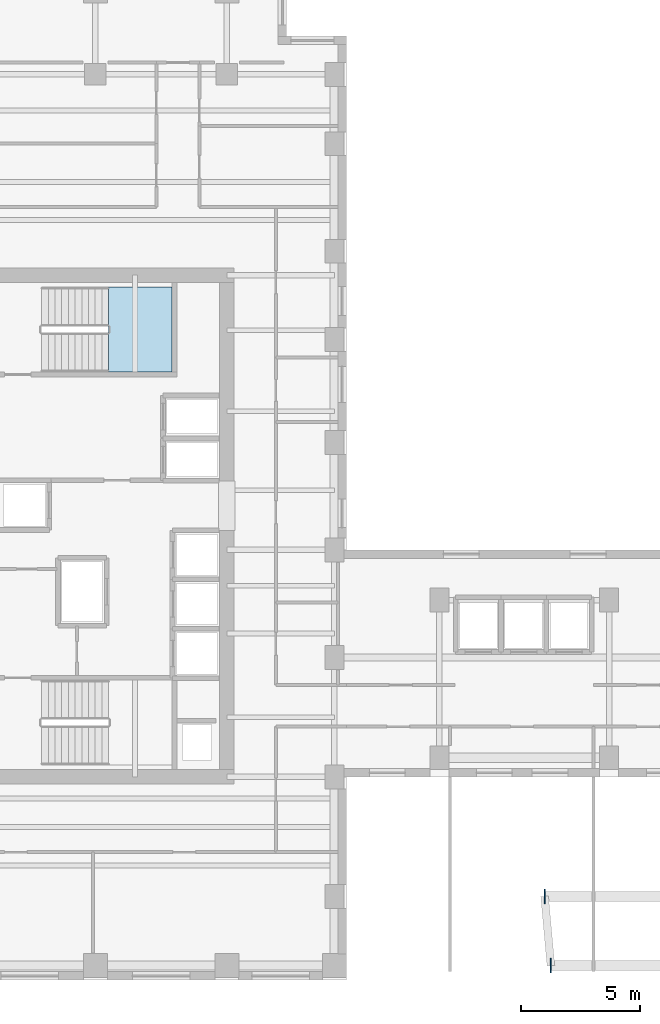
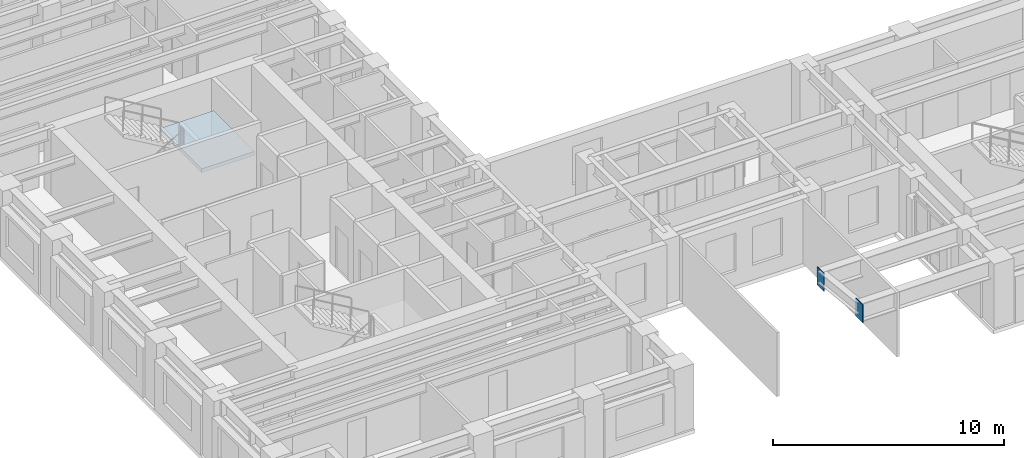
# One storey, part 4 of 13: 2 plates, 1 slab, 1 element without a shape of its own.
"""IFC4 building model written with IfcOpenShell, lengths in metres."""

from ifc_helpers import new_model, si_unit, direction, frame, origin, origin_2d, place, context, subcontext, project, spatial, polyline, rectangle, outline, extrude, source, transform, mapped, material, layer, layer_set, type_object, element, aggregate, save


model = new_model("IFC4")

# Units and contexts
model_context = context("Model", 3, precision=1e-05, world=origin(), true_north=direction((0.0, 1.0)))
body_context = subcontext(model_context, "Body", "Model", "MODEL_VIEW")
ifc_project = project(units=[si_unit("LENGTHUNIT", "METRE"), si_unit("AREAUNIT", "SQUARE_METRE"), si_unit("VOLUMEUNIT", "CUBIC_METRE"), si_unit("PLANEANGLEUNIT", "RADIAN"), si_unit("MASSUNIT", "GRAM", prefix="KILO")], contexts=[model_context])

# Site, building, storey
site_placement = place(None, origin())
site = spatial("IfcSite", under=ifc_project, at=site_placement, CompositionType="ELEMENT")
building_placement = place(site_placement, origin())
building = spatial("IfcBuilding", under=site, at=building_placement, Name="Kharzan Plaza Tower", CompositionType="ELEMENT")
storey_placement = place(building_placement, frame((0.0, 0.0, 161.10009765625)))
storey = spatial("IfcBuildingStorey", under=building, at=storey_placement, Name="L43", CompositionType="ELEMENT", Elevation=161.10009765625)

# Stair, slab
ifc_material_1 = material(Name="Concrete C40/50", Category="concrete")
stair_type = type_object("IfcStairType", Name="STR-ST-2", PredefinedType="HALF_TURN_STAIR", material=ifc_material_1)
stair_placement = place(storey_placement, origin())
stair = element("IfcStair", 1, at=stair_placement, inside=storey, type_object=stair_type, Name="L43 Protected Exit Stair ST-2", PredefinedType="HALF_TURN_STAIR")
ifc_layer_1 = layer(ifc_material_1, 0.219970703125)
ifc_layer_set_1 = layer_set([ifc_layer_1], Name="Concrete C40/50")
slab_type = type_object("IfcSlabType", Name="SL-LANDING-220", PredefinedType="LANDING", material=ifc_layer_set_1)
slab_placement = place(storey_placement, frame((0.0, 0.0, 1.599853515625)))
slab = element("IfcSlab", 2, at=slab_placement, type_object=slab_type, Name="ST-2 landing 1", PredefinedType="LANDING", context=body_context, shape_type="SweptSolid", body=[
    extrude(outline(polyline([(9.550048828125, 25.449951171875), (12.199951171875, 25.449951171875), (12.199951171875, 29.0), (9.550048828125, 29.0), (9.550048828125, 25.449951171875)])), origin(), (0.0, 0.0, 1.0), 0.199951171875),
])
aggregate(stair, [slab])

# Plates
ifc_material_2 = material(Name="Steel S460", Category="steel")
ifc_layer_2 = layer(ifc_material_2, 0.0419921875)
ifc_layer_set_2 = layer_set([ifc_layer_2], Name="Steel S460")
plate_type = type_object("IfcPlateType", Name="PLT-ZTN1", PredefinedType="USERDEFINED", material=ifc_layer_set_2)
shared_shape = source(origin(), body_context, "Body", "SweptSolid", [
    extrude(rectangle(XDim=0.60009765625, YDim=0.0419921875, at=origin_2d()), origin(), (0.0, 0.0, 1.0), 0.949951171875),
])
for number, where, z_axis, x_axis, name in (
    (3, (28.06396484375, 0.60009765625, 2.44140625), (0.0, 0.0, 1.0), (0.0, 1.0, 0.0), "L43 Sky-Terrace Cantilever Tip Plate ZTN1"),
    (4, (27.800048828125, 3.5, 2.44140625), (0.0, 0.0, 1.0), (0.0, 1.0, 0.0), "L43 Sky-Terrace Cantilever Tip Plate ZTN1"),
):
    element("IfcPlate", number, at=place(storey_placement, frame(where, z_axis=z_axis, x_axis=x_axis)), inside=storey, type_object=plate_type, Name=name, ObjectType="FLANGE_PLATE", PredefinedType="USERDEFINED", context=body_context, shape_type="MappedRepresentation", body=[
        mapped(shared_shape, transform((0.0, 0.0, 0.0), x_axis=(1.0, 0.0, 0.0), y_axis=(0.0, 1.0, 0.0), z_axis=(0.0, 0.0, 1.0))),
    ])

save(model, "model.ifc")
